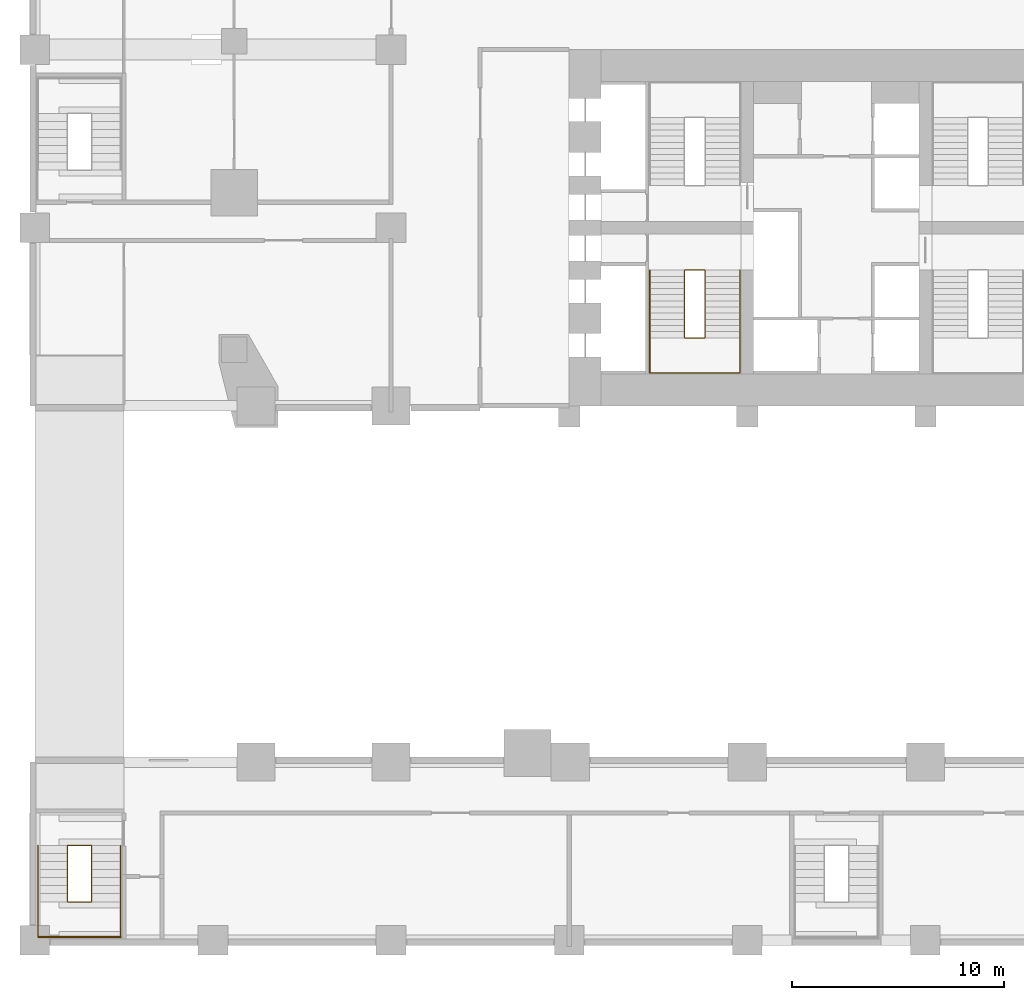
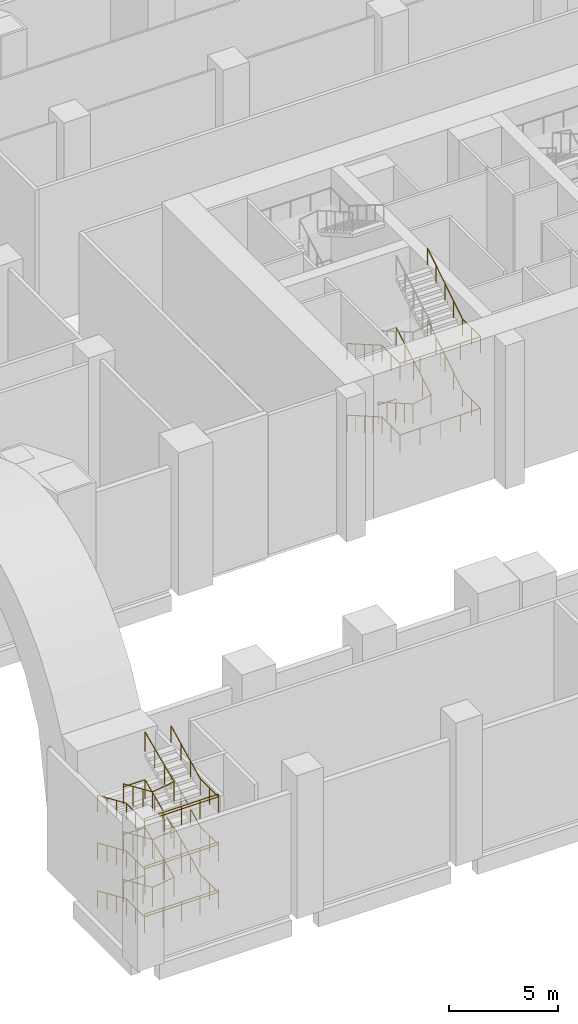
# One storey, part 13 of 19: 12 railings.
"""IFC4 building model written with IfcOpenShell, lengths in metres."""

from ifc_helpers import new_model, si_unit, direction, frame, origin, origin_2d, place, context, subcontext, project, spatial, circle, extrude, material, type_object, element, save


model = new_model("IFC4")

# Units and contexts
model_context = context("Model", 3, precision=1e-05, world=origin(), true_north=direction((0.0, 1.0)))
body_context = subcontext(model_context, "Body", "Model", "MODEL_VIEW")
ifc_project = project(units=[si_unit("LENGTHUNIT", "METRE"), si_unit("AREAUNIT", "SQUARE_METRE"), si_unit("VOLUMEUNIT", "CUBIC_METRE"), si_unit("PLANEANGLEUNIT", "RADIAN"), si_unit("MASSUNIT", "GRAM", prefix="KILO")], contexts=[model_context])

# Site, building, storey
site_placement = place(None, origin())
site = spatial("IfcSite", under=ifc_project, at=site_placement, CompositionType="ELEMENT")
building_placement = place(site_placement, origin())
building = spatial("IfcBuilding", under=site, at=building_placement, Name="Marenta Gate Hotel Tower", CompositionType="ELEMENT")
storey_placement = place(building_placement, frame((0.0, 0.0, 13.0)))
storey = spatial("IfcBuildingStorey", under=building, at=storey_placement, Name="L02", CompositionType="ELEMENT", Elevation=13.0)

# Railings
ifc_material_1 = material(Name="Stainless steel", Category="steel")
railing_type_1 = type_object("IfcRailingType", Name="Core stair handrail 950", PredefinedType="HANDRAIL", material=ifc_material_1)
railing_1_placement = place(storey_placement, frame((-8.800048828125, 6.39990234375, 0.166748046875)))
element("IfcRailing", 1, at=railing_1_placement, inside=storey, type_object=railing_type_1, Name="HR-950 L02-KR-ST1-1", PredefinedType="HANDRAIL", context=body_context, shape_type="SweptSolid", body=[
    extrude(circle(Radius=0.02392578125, at=origin_2d()), frame((0.0, 0.0, 0.92578125), z_axis=(0.0, -0.867019545617, 0.498274128887), x_axis=(1.0, 0.0, 0.0)), (0.0, 0.0, 1.0), 3.67919921875),
    extrude(circle(Radius=0.02392578125, at=origin_2d()), frame((0.0, -3.18994140625, 2.75927734375), z_axis=(0.0, -1.0, 0.0), x_axis=(1.0, 0.0, 0.0)), (0.0, 0.0, 1.0), 1.659912109375),
    extrude(circle(Radius=0.02392578125, at=origin_2d()), frame((0.0, -4.849853515625, 2.75927734375), z_axis=(1.0, 0.0, 0.0), x_axis=(0.0, 1.0, 0.0)), (0.0, 0.0, 1.0), 4.25),
    extrude(circle(Radius=0.02392578125, at=origin_2d()), frame((4.25, -4.849853515625, 2.75927734375), z_axis=(0.0, 1.0, 0.0), x_axis=(-1.0, 0.0, 0.0)), (0.0, 0.0, 1.0), 1.659912109375),
    extrude(circle(Radius=0.02392578125, at=origin_2d()), frame((4.25, -3.18994140625, 2.75927734375), z_axis=(0.0, 0.847247016309, 0.531199108955), x_axis=(-1.0, 0.0, 0.0)), (0.0, 0.0, 1.0), 3.76513671875),
    extrude(circle(Radius=0.02099609375, at=origin_2d()), origin(), (0.0, 0.0, 1.0), 0.90185546875),
    extrude(circle(Radius=0.02099609375, at=origin_2d()), frame((0.0, -0.79736328125, 0.458251953125)), (0.0, 0.0, 1.0), 0.90185546875),
    extrude(circle(Radius=0.02099609375, at=origin_2d()), frame((0.0, -1.594970703125, 0.91650390625)), (0.0, 0.0, 1.0), 0.90185546875),
    extrude(circle(Radius=0.02099609375, at=origin_2d()), frame((0.0, -2.392578125, 1.375)), (0.0, 0.0, 1.0), 0.90185546875),
    extrude(circle(Radius=0.02099609375, at=origin_2d()), frame((0.0, -3.18994140625, 1.833251953125)), (0.0, 0.0, 1.0), 0.90185546875),
    extrude(circle(Radius=0.02099609375, at=origin_2d()), frame((0.0, -4.02001953125, 1.833251953125)), (0.0, 0.0, 1.0), 0.90185546875),
    extrude(circle(Radius=0.02099609375, at=origin_2d()), frame((0.0, -4.849853515625, 1.833251953125)), (0.0, 0.0, 1.0), 0.90185546875),
    extrude(circle(Radius=0.02099609375, at=origin_2d()), frame((1.0625, -4.849853515625, 1.833251953125)), (0.0, 0.0, 1.0), 0.90185546875),
    extrude(circle(Radius=0.02099609375, at=origin_2d()), frame((2.125, -4.849853515625, 1.833251953125)), (0.0, 0.0, 1.0), 0.90185546875),
    extrude(circle(Radius=0.02099609375, at=origin_2d()), frame((3.1875, -4.849853515625, 1.833251953125)), (0.0, 0.0, 1.0), 0.90185546875),
    extrude(circle(Radius=0.02099609375, at=origin_2d()), frame((4.25, -4.849853515625, 1.833251953125)), (0.0, 0.0, 1.0), 0.90185546875),
    extrude(circle(Radius=0.02099609375, at=origin_2d()), frame((4.25, -4.02001953125, 1.833251953125)), (0.0, 0.0, 1.0), 0.90185546875),
    extrude(circle(Radius=0.02099609375, at=origin_2d()), frame((4.25, -3.18994140625, 1.833251953125)), (0.0, 0.0, 1.0), 0.90185546875),
    extrude(circle(Radius=0.02099609375, at=origin_2d()), frame((4.25, -2.392578125, 2.333251953125)), (0.0, 0.0, 1.0), 0.90185546875),
    extrude(circle(Radius=0.02099609375, at=origin_2d()), frame((4.25, -1.594970703125, 2.833251953125)), (0.0, 0.0, 1.0), 0.90185546875),
    extrude(circle(Radius=0.02099609375, at=origin_2d()), frame((4.25, -0.79736328125, 3.333251953125)), (0.0, 0.0, 1.0), 0.90185546875),
    extrude(circle(Radius=0.02099609375, at=origin_2d()), frame((4.25, 0.0, 3.833251953125)), (0.0, 0.0, 1.0), 0.90185546875),
])
railing_2_placement = place(storey_placement, frame((-8.800048828125, 6.39990234375, 4.166748046875)))
element("IfcRailing", 2, at=railing_2_placement, inside=storey, type_object=railing_type_1, Name="HR-950 L02-KR-ST1-3", PredefinedType="HANDRAIL", context=body_context, shape_type="SweptSolid", body=[
    extrude(circle(Radius=0.02392578125, at=origin_2d()), frame((0.0, 0.0, 0.92578125), z_axis=(0.0, -0.867019545617, 0.498274128887), x_axis=(1.0, 0.0, 0.0)), (0.0, 0.0, 1.0), 3.67919921875),
    extrude(circle(Radius=0.02392578125, at=origin_2d()), frame((0.0, -3.18994140625, 2.75927734375), z_axis=(0.0, -1.0, 0.0), x_axis=(1.0, 0.0, 0.0)), (0.0, 0.0, 1.0), 1.659912109375),
    extrude(circle(Radius=0.02392578125, at=origin_2d()), frame((0.0, -4.849853515625, 2.75927734375), z_axis=(1.0, 0.0, 0.0), x_axis=(0.0, 1.0, 0.0)), (0.0, 0.0, 1.0), 4.25),
    extrude(circle(Radius=0.02392578125, at=origin_2d()), frame((4.25, -4.849853515625, 2.75927734375), z_axis=(0.0, 1.0, 0.0), x_axis=(-1.0, 0.0, 0.0)), (0.0, 0.0, 1.0), 1.659912109375),
    extrude(circle(Radius=0.02392578125, at=origin_2d()), frame((4.25, -3.18994140625, 2.75927734375), z_axis=(0.0, 0.847247016309, 0.531199108955), x_axis=(-1.0, 0.0, 0.0)), (0.0, 0.0, 1.0), 3.76513671875),
    extrude(circle(Radius=0.02099609375, at=origin_2d()), origin(), (0.0, 0.0, 1.0), 0.90185546875),
    extrude(circle(Radius=0.02099609375, at=origin_2d()), frame((0.0, -0.79736328125, 0.458251953125)), (0.0, 0.0, 1.0), 0.90185546875),
    extrude(circle(Radius=0.02099609375, at=origin_2d()), frame((0.0, -1.594970703125, 0.91650390625)), (0.0, 0.0, 1.0), 0.90185546875),
    extrude(circle(Radius=0.02099609375, at=origin_2d()), frame((0.0, -2.392578125, 1.375)), (0.0, 0.0, 1.0), 0.90185546875),
    extrude(circle(Radius=0.02099609375, at=origin_2d()), frame((0.0, -3.18994140625, 1.833251953125)), (0.0, 0.0, 1.0), 0.90185546875),
    extrude(circle(Radius=0.02099609375, at=origin_2d()), frame((0.0, -4.02001953125, 1.833251953125)), (0.0, 0.0, 1.0), 0.90185546875),
    extrude(circle(Radius=0.02099609375, at=origin_2d()), frame((0.0, -4.849853515625, 1.833251953125)), (0.0, 0.0, 1.0), 0.90185546875),
    extrude(circle(Radius=0.02099609375, at=origin_2d()), frame((1.0625, -4.849853515625, 1.833251953125)), (0.0, 0.0, 1.0), 0.90185546875),
    extrude(circle(Radius=0.02099609375, at=origin_2d()), frame((2.125, -4.849853515625, 1.833251953125)), (0.0, 0.0, 1.0), 0.90185546875),
    extrude(circle(Radius=0.02099609375, at=origin_2d()), frame((3.1875, -4.849853515625, 1.833251953125)), (0.0, 0.0, 1.0), 0.90185546875),
    extrude(circle(Radius=0.02099609375, at=origin_2d()), frame((4.25, -4.849853515625, 1.833251953125)), (0.0, 0.0, 1.0), 0.90185546875),
    extrude(circle(Radius=0.02099609375, at=origin_2d()), frame((4.25, -4.02001953125, 1.833251953125)), (0.0, 0.0, 1.0), 0.90185546875),
    extrude(circle(Radius=0.02099609375, at=origin_2d()), frame((4.25, -3.18994140625, 1.833251953125)), (0.0, 0.0, 1.0), 0.90185546875),
    extrude(circle(Radius=0.02099609375, at=origin_2d()), frame((4.25, -2.392578125, 2.333251953125)), (0.0, 0.0, 1.0), 0.90185546875),
    extrude(circle(Radius=0.02099609375, at=origin_2d()), frame((4.25, -1.594970703125, 2.833251953125)), (0.0, 0.0, 1.0), 0.90185546875),
    extrude(circle(Radius=0.02099609375, at=origin_2d()), frame((4.25, -0.79736328125, 3.333251953125)), (0.0, 0.0, 1.0), 0.90185546875),
    extrude(circle(Radius=0.02099609375, at=origin_2d()), frame((4.25, 0.0, 3.833251953125)), (0.0, 0.0, 1.0), 0.90185546875),
])
railing_3_placement = place(storey_placement, frame((-37.64990234375, -20.72998046875, 0.166748046875)))
element("IfcRailing", 3, at=railing_3_placement, inside=storey, type_object=railing_type_1, Name="HR-950 L02-KR-PX1-2", PredefinedType="HANDRAIL", context=body_context, shape_type="SweptSolid", body=[
    extrude(circle(Radius=0.02392578125, at=origin_2d()), frame((0.0, 0.0, 0.92578125), z_axis=(0.0, -0.915803938995, 0.401625628317), x_axis=(1.0, 0.0, 0.0)), (0.0, 0.0, 1.0), 2.904541015625),
    extrude(circle(Radius=0.02392578125, at=origin_2d()), frame((0.0, -2.659912109375, 2.09228515625), z_axis=(0.0, -1.0, 0.0), x_axis=(1.0, 0.0, 0.0)), (0.0, 0.0, 1.0), 1.66015625),
    extrude(circle(Radius=0.02392578125, at=origin_2d()), frame((0.0, -4.320068359375, 2.09228515625), z_axis=(1.0, 0.0, 0.0), x_axis=(0.0, 1.0, 0.0)), (0.0, 0.0, 1.0), 3.89990234375),
    extrude(circle(Radius=0.02392578125, at=origin_2d()), frame((3.89990234375, -4.320068359375, 2.09228515625), z_axis=(0.0, 1.0, 0.0), x_axis=(-1.0, 0.0, 0.0)), (0.0, 0.0, 1.0), 1.66015625),
    extrude(circle(Radius=0.02392578125, at=origin_2d()), frame((3.89990234375, -2.659912109375, 2.09228515625), z_axis=(0.0, 0.89395078604, 0.448165139362), x_axis=(-1.0, 0.0, 0.0)), (0.0, 0.0, 1.0), 2.975341796875),
    extrude(circle(Radius=0.02099609375, at=origin_2d()), origin(), (0.0, 0.0, 1.0), 0.90185546875),
    extrude(circle(Radius=0.02099609375, at=origin_2d()), frame((0.0, -0.88671875, 0.388916015625)), (0.0, 0.0, 1.0), 0.90185546875),
    extrude(circle(Radius=0.02099609375, at=origin_2d()), frame((0.0, -1.773193359375, 0.777587890625)), (0.0, 0.0, 1.0), 0.90185546875),
    extrude(circle(Radius=0.02099609375, at=origin_2d()), frame((0.0, -2.659912109375, 1.16650390625)), (0.0, 0.0, 1.0), 0.90185546875),
    extrude(circle(Radius=0.02099609375, at=origin_2d()), frame((0.0, -3.489990234375, 1.16650390625)), (0.0, 0.0, 1.0), 0.90185546875),
    extrude(circle(Radius=0.02099609375, at=origin_2d()), frame((0.0, -4.320068359375, 1.16650390625)), (0.0, 0.0, 1.0), 0.90185546875),
    extrude(circle(Radius=0.02099609375, at=origin_2d()), frame((0.97509765625, -4.320068359375, 1.16650390625)), (0.0, 0.0, 1.0), 0.90185546875),
    extrude(circle(Radius=0.02099609375, at=origin_2d()), frame((1.949951171875, -4.320068359375, 1.16650390625)), (0.0, 0.0, 1.0), 0.90185546875),
    extrude(circle(Radius=0.02099609375, at=origin_2d()), frame((2.9248046875, -4.320068359375, 1.16650390625)), (0.0, 0.0, 1.0), 0.90185546875),
    extrude(circle(Radius=0.02099609375, at=origin_2d()), frame((3.89990234375, -4.320068359375, 1.16650390625)), (0.0, 0.0, 1.0), 0.90185546875),
    extrude(circle(Radius=0.02099609375, at=origin_2d()), frame((3.89990234375, -3.489990234375, 1.16650390625)), (0.0, 0.0, 1.0), 0.90185546875),
    extrude(circle(Radius=0.02099609375, at=origin_2d()), frame((3.89990234375, -2.659912109375, 1.16650390625)), (0.0, 0.0, 1.0), 0.90185546875),
    extrude(circle(Radius=0.02099609375, at=origin_2d()), frame((3.89990234375, -1.773193359375, 1.611083984375)), (0.0, 0.0, 1.0), 0.90185546875),
    extrude(circle(Radius=0.02099609375, at=origin_2d()), frame((3.89990234375, -0.88671875, 2.055419921875)), (0.0, 0.0, 1.0), 0.90185546875),
    extrude(circle(Radius=0.02099609375, at=origin_2d()), frame((3.89990234375, 0.0, 2.5)), (0.0, 0.0, 1.0), 0.90185546875),
])
railing_4_placement = place(storey_placement, frame((-37.64990234375, -20.72998046875, 2.833251953125)))
element("IfcRailing", 4, at=railing_4_placement, inside=storey, type_object=railing_type_1, Name="HR-950 L02-KR-PX1-5", PredefinedType="HANDRAIL", context=body_context, shape_type="SweptSolid", body=[
    extrude(circle(Radius=0.02392578125, at=origin_2d()), frame((0.0, 0.0, 0.92578125), z_axis=(0.0, -0.915773020194, 0.401696123314), x_axis=(1.0, 0.0, 0.0)), (0.0, 0.0, 1.0), 2.904541015625),
    extrude(circle(Radius=0.02392578125, at=origin_2d()), frame((0.0, -2.659912109375, 2.0927734375), z_axis=(0.0, -1.0, 0.0), x_axis=(1.0, 0.0, 0.0)), (0.0, 0.0, 1.0), 1.66015625),
    extrude(circle(Radius=0.02392578125, at=origin_2d()), frame((0.0, -4.320068359375, 2.0927734375), z_axis=(1.0, 0.0, 0.0), x_axis=(0.0, 1.0, 0.0)), (0.0, 0.0, 1.0), 3.89990234375),
    extrude(circle(Radius=0.02392578125, at=origin_2d()), frame((3.89990234375, -4.320068359375, 2.0927734375), z_axis=(0.0, 1.0, 0.0), x_axis=(-1.0, 0.0, 0.0)), (0.0, 0.0, 1.0), 1.66015625),
    extrude(circle(Radius=0.02392578125, at=origin_2d()), frame((3.89990234375, -2.659912109375, 2.0927734375), z_axis=(0.0, 0.893983657746, 0.448099564475), x_axis=(-1.0, 0.0, 0.0)), (0.0, 0.0, 1.0), 2.975341796875),
    extrude(circle(Radius=0.02099609375, at=origin_2d()), origin(), (0.0, 0.0, 1.0), 0.90185546875),
    extrude(circle(Radius=0.02099609375, at=origin_2d()), frame((0.0, -0.88671875, 0.388916015625)), (0.0, 0.0, 1.0), 0.90185546875),
    extrude(circle(Radius=0.02099609375, at=origin_2d()), frame((0.0, -1.773193359375, 0.77783203125)), (0.0, 0.0, 1.0), 0.90185546875),
    extrude(circle(Radius=0.02099609375, at=origin_2d()), frame((0.0, -2.659912109375, 1.166748046875)), (0.0, 0.0, 1.0), 0.90185546875),
    extrude(circle(Radius=0.02099609375, at=origin_2d()), frame((0.0, -3.489990234375, 1.166748046875)), (0.0, 0.0, 1.0), 0.90185546875),
    extrude(circle(Radius=0.02099609375, at=origin_2d()), frame((0.0, -4.320068359375, 1.166748046875)), (0.0, 0.0, 1.0), 0.90185546875),
    extrude(circle(Radius=0.02099609375, at=origin_2d()), frame((0.97509765625, -4.320068359375, 1.166748046875)), (0.0, 0.0, 1.0), 0.90185546875),
    extrude(circle(Radius=0.02099609375, at=origin_2d()), frame((1.949951171875, -4.320068359375, 1.166748046875)), (0.0, 0.0, 1.0), 0.90185546875),
    extrude(circle(Radius=0.02099609375, at=origin_2d()), frame((2.9248046875, -4.320068359375, 1.166748046875)), (0.0, 0.0, 1.0), 0.90185546875),
    extrude(circle(Radius=0.02099609375, at=origin_2d()), frame((3.89990234375, -4.320068359375, 1.166748046875)), (0.0, 0.0, 1.0), 0.90185546875),
    extrude(circle(Radius=0.02099609375, at=origin_2d()), frame((3.89990234375, -3.489990234375, 1.166748046875)), (0.0, 0.0, 1.0), 0.90185546875),
    extrude(circle(Radius=0.02099609375, at=origin_2d()), frame((3.89990234375, -2.659912109375, 1.166748046875)), (0.0, 0.0, 1.0), 0.90185546875),
    extrude(circle(Radius=0.02099609375, at=origin_2d()), frame((3.89990234375, -1.773193359375, 1.611083984375)), (0.0, 0.0, 1.0), 0.90185546875),
    extrude(circle(Radius=0.02099609375, at=origin_2d()), frame((3.89990234375, -0.88671875, 2.0556640625)), (0.0, 0.0, 1.0), 0.90185546875),
    extrude(circle(Radius=0.02099609375, at=origin_2d()), frame((3.89990234375, 0.0, 2.5)), (0.0, 0.0, 1.0), 0.90185546875),
])
railing_5_placement = place(storey_placement, frame((-37.64990234375, -20.72998046875, 5.5)))
element("IfcRailing", 5, at=railing_5_placement, inside=storey, type_object=railing_type_1, Name="HR-950 L02-KR-PX1-8", PredefinedType="HANDRAIL", context=body_context, shape_type="SweptSolid", body=[
    extrude(circle(Radius=0.02392578125, at=origin_2d()), frame((0.0, 0.0, 0.92578125), z_axis=(0.0, -0.915773020194, 0.401696123314), x_axis=(1.0, 0.0, 0.0)), (0.0, 0.0, 1.0), 2.904541015625),
    extrude(circle(Radius=0.02392578125, at=origin_2d()), frame((0.0, -2.659912109375, 2.0927734375), z_axis=(0.0, -1.0, 0.0), x_axis=(1.0, 0.0, 0.0)), (0.0, 0.0, 1.0), 1.66015625),
    extrude(circle(Radius=0.02392578125, at=origin_2d()), frame((0.0, -4.320068359375, 2.0927734375), z_axis=(1.0, 0.0, 0.0), x_axis=(0.0, 1.0, 0.0)), (0.0, 0.0, 1.0), 3.89990234375),
    extrude(circle(Radius=0.02392578125, at=origin_2d()), frame((3.89990234375, -4.320068359375, 2.0927734375), z_axis=(0.0, 1.0, 0.0), x_axis=(-1.0, 0.0, 0.0)), (0.0, 0.0, 1.0), 1.66015625),
    extrude(circle(Radius=0.02392578125, at=origin_2d()), frame((3.89990234375, -2.659912109375, 2.0927734375), z_axis=(0.0, 0.893983657746, 0.448099564475), x_axis=(-1.0, 0.0, 0.0)), (0.0, 0.0, 1.0), 2.975341796875),
    extrude(circle(Radius=0.02099609375, at=origin_2d()), origin(), (0.0, 0.0, 1.0), 0.90185546875),
    extrude(circle(Radius=0.02099609375, at=origin_2d()), frame((0.0, -0.88671875, 0.388916015625)), (0.0, 0.0, 1.0), 0.90185546875),
    extrude(circle(Radius=0.02099609375, at=origin_2d()), frame((0.0, -1.773193359375, 0.77783203125)), (0.0, 0.0, 1.0), 0.90185546875),
    extrude(circle(Radius=0.02099609375, at=origin_2d()), frame((0.0, -2.659912109375, 1.166748046875)), (0.0, 0.0, 1.0), 0.90185546875),
    extrude(circle(Radius=0.02099609375, at=origin_2d()), frame((0.0, -3.489990234375, 1.166748046875)), (0.0, 0.0, 1.0), 0.90185546875),
    extrude(circle(Radius=0.02099609375, at=origin_2d()), frame((0.0, -4.320068359375, 1.166748046875)), (0.0, 0.0, 1.0), 0.90185546875),
    extrude(circle(Radius=0.02099609375, at=origin_2d()), frame((0.97509765625, -4.320068359375, 1.166748046875)), (0.0, 0.0, 1.0), 0.90185546875),
    extrude(circle(Radius=0.02099609375, at=origin_2d()), frame((1.949951171875, -4.320068359375, 1.166748046875)), (0.0, 0.0, 1.0), 0.90185546875),
    extrude(circle(Radius=0.02099609375, at=origin_2d()), frame((2.9248046875, -4.320068359375, 1.166748046875)), (0.0, 0.0, 1.0), 0.90185546875),
    extrude(circle(Radius=0.02099609375, at=origin_2d()), frame((3.89990234375, -4.320068359375, 1.166748046875)), (0.0, 0.0, 1.0), 0.90185546875),
    extrude(circle(Radius=0.02099609375, at=origin_2d()), frame((3.89990234375, -3.489990234375, 1.166748046875)), (0.0, 0.0, 1.0), 0.90185546875),
    extrude(circle(Radius=0.02099609375, at=origin_2d()), frame((3.89990234375, -2.659912109375, 1.166748046875)), (0.0, 0.0, 1.0), 0.90185546875),
    extrude(circle(Radius=0.02099609375, at=origin_2d()), frame((3.89990234375, -1.773193359375, 1.611083984375)), (0.0, 0.0, 1.0), 0.90185546875),
    extrude(circle(Radius=0.02099609375, at=origin_2d()), frame((3.89990234375, -0.88671875, 2.0556640625)), (0.0, 0.0, 1.0), 0.90185546875),
    extrude(circle(Radius=0.02099609375, at=origin_2d()), frame((3.89990234375, 0.0, 2.5)), (0.0, 0.0, 1.0), 0.90185546875),
])
ifc_material_2 = material(Name="Stainless steel", Category="steel")
railing_type_2 = type_object("IfcRailingType", Name="Core stair well guard 1100", PredefinedType="GUARDRAIL", material=ifc_material_2)
railing_6_placement = place(storey_placement, frame((-6.199951171875, 6.39990234375, 0.0)))
element("IfcRailing", 6, at=railing_6_placement, inside=storey, type_object=railing_type_2, Name="GR-1100 L02-KR-ST1-2", PredefinedType="GUARDRAIL", context=body_context, shape_type="SweptSolid", body=[
    extrude(circle(Radius=0.02392578125, at=origin_2d()), frame((0.0, 0.0, 1.076171875), z_axis=(-1.0, 0.0, 0.0), x_axis=(0.0, -1.0, 0.0)), (0.0, 0.0, 1.0), 0.949951171875),
    extrude(circle(Radius=0.02392578125, at=origin_2d()), frame((-0.949951171875, 0.0, 1.076171875), z_axis=(0.0, 0.0, 1.0), x_axis=(1.0, 0.0, 0.0)), (0.0, 0.0, 1.0), 0.166748046875),
    extrude(circle(Radius=0.02392578125, at=origin_2d()), frame((-0.949951171875, 0.0, 1.24267578125), z_axis=(0.0, -0.867019545617, 0.498274128887), x_axis=(1.0, 0.0, 0.0)), (0.0, 0.0, 1.0), 3.67919921875),
    extrude(circle(Radius=0.02392578125, at=origin_2d()), frame((-0.949951171875, -3.18994140625, 3.076171875), z_axis=(0.984941147704, 0.0, 0.172889952167), x_axis=(0.0, 1.0, 0.0)), (0.0, 0.0, 1.0), 0.96435546875),
    extrude(circle(Radius=0.02392578125, at=origin_2d()), frame((0.0, -3.18994140625, 3.24267578125), z_axis=(0.0, 0.867019545617, 0.498274128887), x_axis=(-1.0, 0.0, 0.0)), (0.0, 0.0, 1.0), 3.67919921875),
    extrude(circle(Radius=0.02099609375, at=origin_2d()), origin(), (0.0, 0.0, 1.0), 1.052001953125),
    extrude(circle(Radius=0.02099609375, at=origin_2d()), frame((-0.949951171875, 0.0, 0.0)), (0.0, 0.0, 1.0), 1.052001953125),
    extrude(circle(Radius=0.02099609375, at=origin_2d()), frame((-0.949951171875, 0.0, 0.166748046875)), (0.0, 0.0, 1.0), 1.052001953125),
    extrude(circle(Radius=0.02099609375, at=origin_2d()), frame((-0.949951171875, -0.79736328125, 0.625)), (0.0, 0.0, 1.0), 1.052001953125),
    extrude(circle(Radius=0.02099609375, at=origin_2d()), frame((-0.949951171875, -1.594970703125, 1.08349609375)), (0.0, 0.0, 1.0), 1.052001953125),
    extrude(circle(Radius=0.02099609375, at=origin_2d()), frame((-0.949951171875, -2.392578125, 1.541748046875)), (0.0, 0.0, 1.0), 1.052001953125),
    extrude(circle(Radius=0.02099609375, at=origin_2d()), frame((-0.949951171875, -3.18994140625, 2.0)), (0.0, 0.0, 1.0), 1.052001953125),
    extrude(circle(Radius=0.02099609375, at=origin_2d()), frame((0.0, -3.18994140625, 2.166748046875)), (0.0, 0.0, 1.0), 1.052001953125),
    extrude(circle(Radius=0.02099609375, at=origin_2d()), frame((0.0, -2.392578125, 2.625)), (0.0, 0.0, 1.0), 1.052001953125),
    extrude(circle(Radius=0.02099609375, at=origin_2d()), frame((0.0, -1.594970703125, 3.08349609375)), (0.0, 0.0, 1.0), 1.052001953125),
    extrude(circle(Radius=0.02099609375, at=origin_2d()), frame((0.0, -0.79736328125, 3.541748046875)), (0.0, 0.0, 1.0), 1.052001953125),
    extrude(circle(Radius=0.02099609375, at=origin_2d()), frame((0.0, 0.0, 4.0)), (0.0, 0.0, 1.0), 1.052001953125),
])
railing_7_placement = place(storey_placement, frame((-37.64990234375, -25.050048828125, 1.333251953125)))
element("IfcRailing", 7, at=railing_7_placement, inside=storey, type_object=railing_type_2, Name="GR-1100 L02-KR-PX1-1", PredefinedType="GUARDRAIL", context=body_context, shape_type="SweptSolid", body=[
    extrude(circle(Radius=0.02392578125, at=origin_2d()), frame((0.0, 0.0, 1.076171875), z_axis=(1.0, 0.0, 0.0), x_axis=(0.0, 1.0, 0.0)), (0.0, 0.0, 1.0), 3.89990234375),
    extrude(circle(Radius=0.02099609375, at=origin_2d()), origin(), (0.0, 0.0, 1.0), 1.052001953125),
    extrude(circle(Radius=0.02099609375, at=origin_2d()), frame((0.97509765625, 0.0, 0.0)), (0.0, 0.0, 1.0), 1.052001953125),
    extrude(circle(Radius=0.02099609375, at=origin_2d()), frame((1.949951171875, 0.0, 0.0)), (0.0, 0.0, 1.0), 1.052001953125),
    extrude(circle(Radius=0.02099609375, at=origin_2d()), frame((2.9248046875, 0.0, 0.0)), (0.0, 0.0, 1.0), 1.052001953125),
    extrude(circle(Radius=0.02099609375, at=origin_2d()), frame((3.89990234375, 0.0, 0.0)), (0.0, 0.0, 1.0), 1.052001953125),
])
railing_8_placement = place(storey_placement, frame((-35.1298828125, -20.72998046875, 0.0)))
element("IfcRailing", 8, at=railing_8_placement, inside=storey, type_object=railing_type_2, Name="GR-1100 L02-KR-PX1-3", PredefinedType="GUARDRAIL", context=body_context, shape_type="SweptSolid", body=[
    extrude(circle(Radius=0.02392578125, at=origin_2d()), frame((0.0, 0.0, 1.076171875), z_axis=(-1.0, 0.0, 0.0), x_axis=(0.0, -1.0, 0.0)), (0.0, 0.0, 1.0), 1.14013671875),
    extrude(circle(Radius=0.02392578125, at=origin_2d()), frame((-1.14013671875, 0.0, 1.076171875), z_axis=(0.0, 0.0, 1.0), x_axis=(1.0, 0.0, 0.0)), (0.0, 0.0, 1.0), 0.166748046875),
    extrude(circle(Radius=0.02392578125, at=origin_2d()), frame((-1.14013671875, 0.0, 1.24267578125), z_axis=(0.0, -0.915803938995, 0.401625628317), x_axis=(1.0, 0.0, 0.0)), (0.0, 0.0, 1.0), 2.904541015625),
    extrude(circle(Radius=0.02392578125, at=origin_2d()), frame((-1.14013671875, -2.659912109375, 2.4091796875), z_axis=(0.989473647251, 0.0, 0.144713169394), x_axis=(0.0, 1.0, 0.0)), (0.0, 0.0, 1.0), 1.15234375),
    extrude(circle(Radius=0.02392578125, at=origin_2d()), frame((0.0, -2.659912109375, 2.576171875), z_axis=(0.0, 0.915773020194, 0.401696123314), x_axis=(-1.0, 0.0, 0.0)), (0.0, 0.0, 1.0), 2.904541015625),
    extrude(circle(Radius=0.02099609375, at=origin_2d()), origin(), (0.0, 0.0, 1.0), 1.052001953125),
    extrude(circle(Radius=0.02099609375, at=origin_2d()), frame((-1.14013671875, 0.0, 0.0)), (0.0, 0.0, 1.0), 1.052001953125),
    extrude(circle(Radius=0.02099609375, at=origin_2d()), frame((-1.14013671875, 0.0, 0.166748046875)), (0.0, 0.0, 1.0), 1.052001953125),
    extrude(circle(Radius=0.02099609375, at=origin_2d()), frame((-1.14013671875, -0.88671875, 0.5556640625)), (0.0, 0.0, 1.0), 1.052001953125),
    extrude(circle(Radius=0.02099609375, at=origin_2d()), frame((-1.14013671875, -1.773193359375, 0.9443359375)), (0.0, 0.0, 1.0), 1.052001953125),
    extrude(circle(Radius=0.02099609375, at=origin_2d()), frame((-1.14013671875, -2.659912109375, 1.333251953125)), (0.0, 0.0, 1.0), 1.052001953125),
    extrude(circle(Radius=0.02099609375, at=origin_2d()), frame((0.0, -2.659912109375, 1.5)), (0.0, 0.0, 1.0), 1.052001953125),
    extrude(circle(Radius=0.02099609375, at=origin_2d()), frame((0.0, -1.773193359375, 1.888916015625)), (0.0, 0.0, 1.0), 1.052001953125),
    extrude(circle(Radius=0.02099609375, at=origin_2d()), frame((0.0, -0.88671875, 2.27783203125)), (0.0, 0.0, 1.0), 1.052001953125),
    extrude(circle(Radius=0.02099609375, at=origin_2d()), frame((0.0, 0.0, 2.666748046875)), (0.0, 0.0, 1.0), 1.052001953125),
])
railing_9_placement = place(storey_placement, frame((-37.64990234375, -25.050048828125, 4.0)))
element("IfcRailing", 9, at=railing_9_placement, inside=storey, type_object=railing_type_2, Name="GR-1100 L02-KR-PX1-4", PredefinedType="GUARDRAIL", context=body_context, shape_type="SweptSolid", body=[
    extrude(circle(Radius=0.02392578125, at=origin_2d()), frame((0.0, 0.0, 1.076171875), z_axis=(1.0, 0.0, 0.0), x_axis=(0.0, 1.0, 0.0)), (0.0, 0.0, 1.0), 3.89990234375),
    extrude(circle(Radius=0.02099609375, at=origin_2d()), origin(), (0.0, 0.0, 1.0), 1.052001953125),
    extrude(circle(Radius=0.02099609375, at=origin_2d()), frame((0.97509765625, 0.0, 0.0)), (0.0, 0.0, 1.0), 1.052001953125),
    extrude(circle(Radius=0.02099609375, at=origin_2d()), frame((1.949951171875, 0.0, 0.0)), (0.0, 0.0, 1.0), 1.052001953125),
    extrude(circle(Radius=0.02099609375, at=origin_2d()), frame((2.9248046875, 0.0, 0.0)), (0.0, 0.0, 1.0), 1.052001953125),
    extrude(circle(Radius=0.02099609375, at=origin_2d()), frame((3.89990234375, 0.0, 0.0)), (0.0, 0.0, 1.0), 1.052001953125),
])
railing_10_placement = place(storey_placement, frame((-35.1298828125, -20.72998046875, 2.666748046875)))
element("IfcRailing", 10, at=railing_10_placement, inside=storey, type_object=railing_type_2, Name="GR-1100 L02-KR-PX1-6", PredefinedType="GUARDRAIL", context=body_context, shape_type="SweptSolid", body=[
    extrude(circle(Radius=0.02392578125, at=origin_2d()), frame((0.0, 0.0, 1.076171875), z_axis=(-1.0, 0.0, 0.0), x_axis=(0.0, -1.0, 0.0)), (0.0, 0.0, 1.0), 1.14013671875),
    extrude(circle(Radius=0.02392578125, at=origin_2d()), frame((-1.14013671875, 0.0, 1.076171875), z_axis=(0.0, 0.0, 1.0), x_axis=(1.0, 0.0, 0.0)), (0.0, 0.0, 1.0), 0.16650390625),
    extrude(circle(Radius=0.02392578125, at=origin_2d()), frame((-1.14013671875, 0.0, 1.24267578125), z_axis=(0.0, -0.915773020194, 0.401696123314), x_axis=(1.0, 0.0, 0.0)), (0.0, 0.0, 1.0), 2.904541015625),
    extrude(circle(Radius=0.02392578125, at=origin_2d()), frame((-1.14013671875, -2.659912109375, 2.4091796875), z_axis=(0.989473647251, 0.0, 0.144713169394), x_axis=(0.0, 1.0, 0.0)), (0.0, 0.0, 1.0), 1.15234375),
    extrude(circle(Radius=0.02392578125, at=origin_2d()), frame((0.0, -2.659912109375, 2.576171875), z_axis=(0.0, 0.915803938995, 0.401625628317), x_axis=(-1.0, 0.0, 0.0)), (0.0, 0.0, 1.0), 2.904541015625),
    extrude(circle(Radius=0.02099609375, at=origin_2d()), origin(), (0.0, 0.0, 1.0), 1.052001953125),
    extrude(circle(Radius=0.02099609375, at=origin_2d()), frame((-1.14013671875, 0.0, 0.0)), (0.0, 0.0, 1.0), 1.052001953125),
    extrude(circle(Radius=0.02099609375, at=origin_2d()), frame((-1.14013671875, 0.0, 0.16650390625)), (0.0, 0.0, 1.0), 1.052001953125),
    extrude(circle(Radius=0.02099609375, at=origin_2d()), frame((-1.14013671875, -0.88671875, 0.555419921875)), (0.0, 0.0, 1.0), 1.052001953125),
    extrude(circle(Radius=0.02099609375, at=origin_2d()), frame((-1.14013671875, -1.773193359375, 0.9443359375)), (0.0, 0.0, 1.0), 1.052001953125),
    extrude(circle(Radius=0.02099609375, at=origin_2d()), frame((-1.14013671875, -2.659912109375, 1.333251953125)), (0.0, 0.0, 1.0), 1.052001953125),
    extrude(circle(Radius=0.02099609375, at=origin_2d()), frame((0.0, -2.659912109375, 1.5)), (0.0, 0.0, 1.0), 1.052001953125),
    extrude(circle(Radius=0.02099609375, at=origin_2d()), frame((0.0, -1.773193359375, 1.888916015625)), (0.0, 0.0, 1.0), 1.052001953125),
    extrude(circle(Radius=0.02099609375, at=origin_2d()), frame((0.0, -0.88671875, 2.277587890625)), (0.0, 0.0, 1.0), 1.052001953125),
    extrude(circle(Radius=0.02099609375, at=origin_2d()), frame((0.0, 0.0, 2.66650390625)), (0.0, 0.0, 1.0), 1.052001953125),
])
railing_11_placement = place(storey_placement, frame((-37.64990234375, -25.050048828125, 6.666748046875)))
element("IfcRailing", 11, at=railing_11_placement, inside=storey, type_object=railing_type_2, Name="GR-1100 L02-KR-PX1-7", PredefinedType="GUARDRAIL", context=body_context, shape_type="SweptSolid", body=[
    extrude(circle(Radius=0.02392578125, at=origin_2d()), frame((0.0, 0.0, 1.076171875), z_axis=(1.0, 0.0, 0.0), x_axis=(0.0, 1.0, 0.0)), (0.0, 0.0, 1.0), 3.89990234375),
    extrude(circle(Radius=0.02099609375, at=origin_2d()), origin(), (0.0, 0.0, 1.0), 1.052001953125),
    extrude(circle(Radius=0.02099609375, at=origin_2d()), frame((0.97509765625, 0.0, 0.0)), (0.0, 0.0, 1.0), 1.052001953125),
    extrude(circle(Radius=0.02099609375, at=origin_2d()), frame((1.949951171875, 0.0, 0.0)), (0.0, 0.0, 1.0), 1.052001953125),
    extrude(circle(Radius=0.02099609375, at=origin_2d()), frame((2.9248046875, 0.0, 0.0)), (0.0, 0.0, 1.0), 1.052001953125),
    extrude(circle(Radius=0.02099609375, at=origin_2d()), frame((3.89990234375, 0.0, 0.0)), (0.0, 0.0, 1.0), 1.052001953125),
])
railing_12_placement = place(storey_placement, frame((-35.1298828125, -20.72998046875, 5.333251953125)))
element("IfcRailing", 12, at=railing_12_placement, inside=storey, type_object=railing_type_2, Name="GR-1100 L02-KR-PX1-9", PredefinedType="GUARDRAIL", context=body_context, shape_type="SweptSolid", body=[
    extrude(circle(Radius=0.02392578125, at=origin_2d()), frame((0.0, 0.0, 1.076171875), z_axis=(-1.0, 0.0, 0.0), x_axis=(0.0, -1.0, 0.0)), (0.0, 0.0, 1.0), 1.14013671875),
    extrude(circle(Radius=0.02392578125, at=origin_2d()), frame((-1.14013671875, 0.0, 1.076171875), z_axis=(0.0, 0.0, 1.0), x_axis=(1.0, 0.0, 0.0)), (0.0, 0.0, 1.0), 0.166748046875),
    extrude(circle(Radius=0.02392578125, at=origin_2d()), frame((-1.14013671875, 0.0, 1.24267578125), z_axis=(0.0, -0.915773020194, 0.401696123314), x_axis=(1.0, 0.0, 0.0)), (0.0, 0.0, 1.0), 2.904541015625),
    extrude(circle(Radius=0.02392578125, at=origin_2d()), frame((-1.14013671875, -2.659912109375, 2.40966796875), z_axis=(0.989503965321, 0.0, 0.144505718276), x_axis=(0.0, 1.0, 0.0)), (0.0, 0.0, 1.0), 1.15234375),
    extrude(circle(Radius=0.02392578125, at=origin_2d()), frame((0.0, -2.659912109375, 2.576171875), z_axis=(0.0, 0.915773020194, 0.401696123314), x_axis=(-1.0, 0.0, 0.0)), (0.0, 0.0, 1.0), 2.904541015625),
    extrude(circle(Radius=0.02099609375, at=origin_2d()), origin(), (0.0, 0.0, 1.0), 1.052001953125),
    extrude(circle(Radius=0.02099609375, at=origin_2d()), frame((-1.14013671875, 0.0, 0.0)), (0.0, 0.0, 1.0), 1.052001953125),
    extrude(circle(Radius=0.02099609375, at=origin_2d()), frame((-1.14013671875, 0.0, 0.166748046875)), (0.0, 0.0, 1.0), 1.052001953125),
    extrude(circle(Radius=0.02099609375, at=origin_2d()), frame((-1.14013671875, -0.88671875, 0.5556640625)), (0.0, 0.0, 1.0), 1.052001953125),
    extrude(circle(Radius=0.02099609375, at=origin_2d()), frame((-1.14013671875, -1.773193359375, 0.944580078125)), (0.0, 0.0, 1.0), 1.052001953125),
    extrude(circle(Radius=0.02099609375, at=origin_2d()), frame((-1.14013671875, -2.659912109375, 1.33349609375)), (0.0, 0.0, 1.0), 1.052001953125),
    extrude(circle(Radius=0.02099609375, at=origin_2d()), frame((0.0, -2.659912109375, 1.5)), (0.0, 0.0, 1.0), 1.052001953125),
    extrude(circle(Radius=0.02099609375, at=origin_2d()), frame((0.0, -1.773193359375, 1.888916015625)), (0.0, 0.0, 1.0), 1.052001953125),
    extrude(circle(Radius=0.02099609375, at=origin_2d()), frame((0.0, -0.88671875, 2.27783203125)), (0.0, 0.0, 1.0), 1.052001953125),
    extrude(circle(Radius=0.02099609375, at=origin_2d()), frame((0.0, 0.0, 2.666748046875)), (0.0, 0.0, 1.0), 1.052001953125),
])

save(model, "model.ifc")
